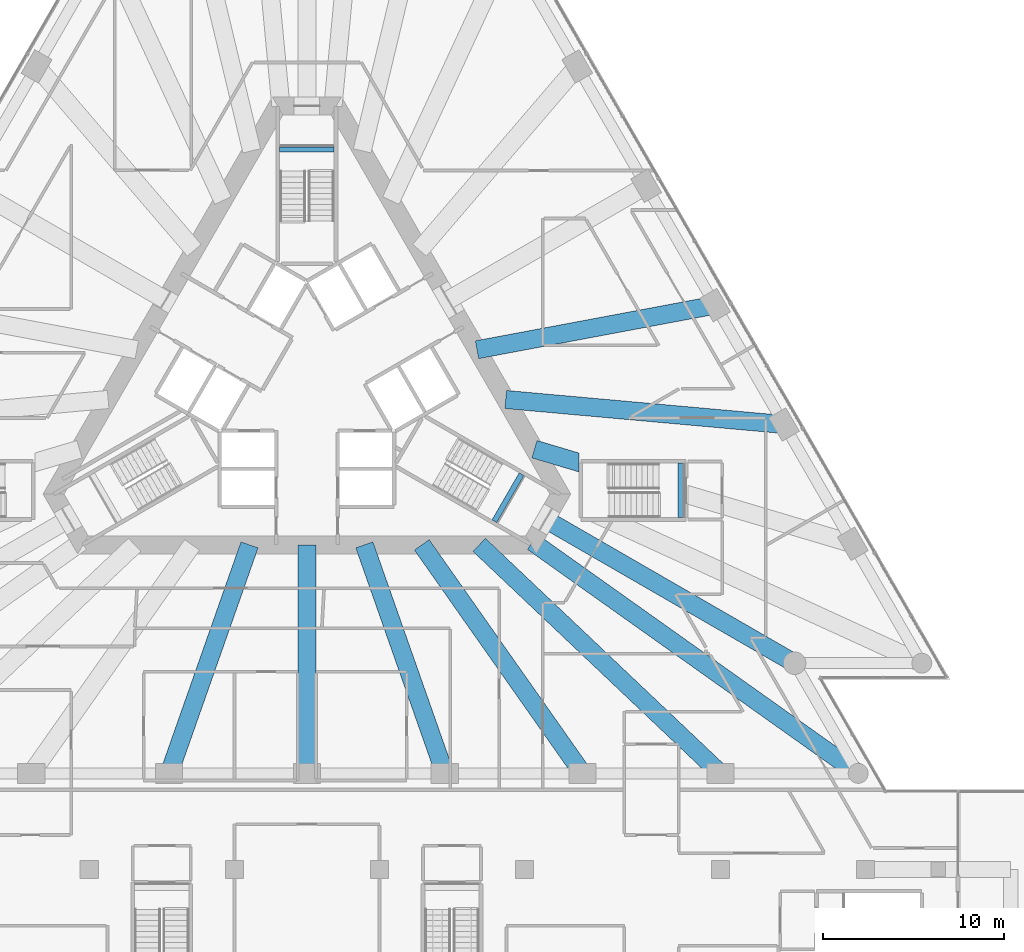
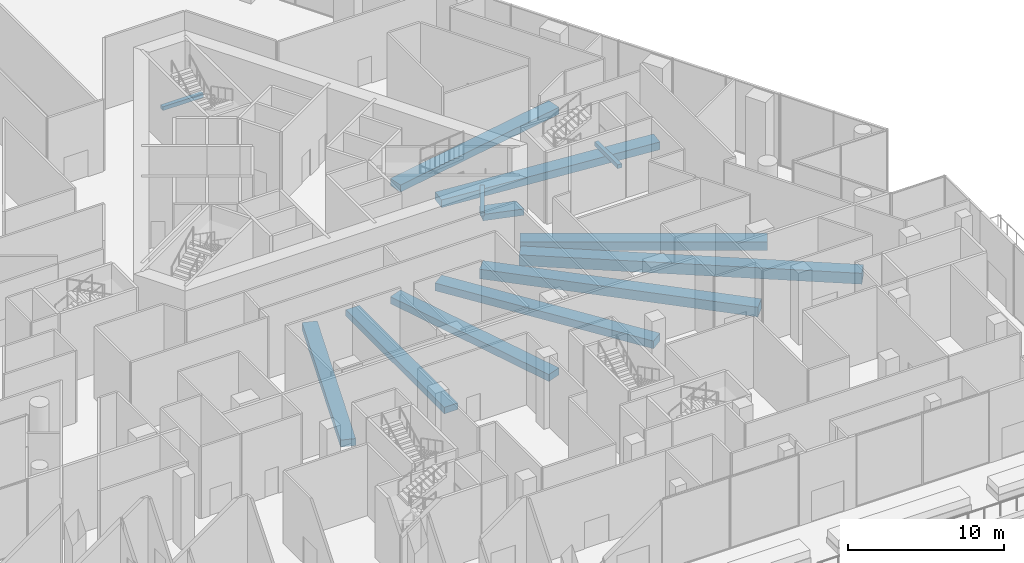
# One storey, part 11 of 36: 13 beams.
"""IFC4 building model written with IfcOpenShell, lengths in metres."""

from ifc_helpers import new_model, si_unit, direction, frame, origin, origin_2d, place, context, subcontext, project, spatial, rectangle, extrude, clip, halfspace, material, material_profile, profile_set, type_object, element, save


model = new_model("IFC4")

# Units and contexts
model_context = context("Model", 3, precision=1e-05, world=origin(), true_north=direction((0.0, 1.0)))
body_context = subcontext(model_context, "Body", "Model", "MODEL_VIEW")
ifc_project = project(units=[si_unit("LENGTHUNIT", "METRE"), si_unit("AREAUNIT", "SQUARE_METRE"), si_unit("VOLUMEUNIT", "CUBIC_METRE"), si_unit("PLANEANGLEUNIT", "RADIAN"), si_unit("MASSUNIT", "GRAM", prefix="KILO")], contexts=[model_context])

# Site, building, storey
site_placement = place(None, origin())
site = spatial("IfcSite", under=ifc_project, at=site_placement, CompositionType="ELEMENT")
building_placement = place(site_placement, origin())
building = spatial("IfcBuilding", under=site, at=building_placement, Name="Triada Interchange Tower", CompositionType="ELEMENT")
storey_placement = place(building_placement, frame((0.0, 0.0, 8.5)))
storey = spatial("IfcBuildingStorey", under=building, at=storey_placement, Name="L01", CompositionType="ELEMENT", Elevation=8.5)

# Beams
ifc_material_1 = material(Name="Concrete C35/45", Category="concrete")
ifc_material_profile_1 = material_profile(ifc_material_1, rectangle(XDim=0.300048828125, YDim=0.300048828125, at=origin_2d()), Name="RC 300x300")
ifc_profile_set_1 = profile_set([ifc_material_profile_1], Name="Concrete C35/45")
beam_type_1 = type_object("IfcBeamType", Name="Landing support beam RC 300x300", PredefinedType="BEAM", material=ifc_profile_set_1)
beam_1_placement = place(storey_placement, frame((1.5, 12.800048828125, 2.491943359375), z_axis=(-1.0, 0.0, 0.0), x_axis=(0.0, -1.0, 0.0)))
element("IfcBeam", 1, at=beam_1_placement, inside=storey, type_object=beam_type_1, Name="Landing support beam S01-1 1", PredefinedType="BEAM", context=body_context, shape_type="SweptSolid", body=[
    extrude(rectangle(XDim=0.300048828125, YDim=0.300048828125, at=origin_2d()), origin(), (0.0, 0.0, 1.0), 3.0),
])
beam_2_placement = place(storey_placement, frame((10.3349609375, -7.698974609375, 2.491943359375), z_axis=(0.50002537861, 0.866010750942, 0.0), x_axis=(-0.866010750942, 0.50002537861, 0.0)))
element("IfcBeam", 2, at=beam_2_placement, inside=storey, type_object=beam_type_1, Name="Landing support beam S01-3 1", PredefinedType="BEAM", context=body_context, shape_type="SweptSolid", body=[
    extrude(rectangle(XDim=0.300048828125, YDim=0.300048828125, at=origin_2d()), origin(), (0.0, 0.0, 1.0), 2.999755859375),
])
beam_3_placement = place(storey_placement, frame((20.60009765625, -7.5, 2.491943359375), z_axis=(0.0, 1.0, 0.0), x_axis=(-1.0, 0.0, 0.0)))
element("IfcBeam", 3, at=beam_3_placement, inside=storey, type_object=beam_type_1, Name="Landing support beam S01-7 1", PredefinedType="BEAM", context=body_context, shape_type="SweptSolid", body=[
    extrude(rectangle(XDim=0.300048828125, YDim=0.300048828125, at=origin_2d()), origin(), (0.0, 0.0, 1.0), 3.0),
])
ifc_material_2 = material(Name="Concrete C50/60", Category="concrete")
ifc_material_profile_2 = material_profile(ifc_material_2, rectangle(XDim=1.0, YDim=0.5, at=origin_2d()), Name="RC 1000x500")
ifc_profile_set_2 = profile_set([ifc_material_profile_2], Name="Concrete C50/60")
beam_type_2 = type_object("IfcBeamType", Name="Radial band beam P RC 1000x500", PredefinedType="BEAM", material=ifc_profile_set_2)
beam_4_placement = place(storey_placement, frame((0.0, -21.60009765625, -0.64990234375), z_axis=(0.0, 1.0, 0.0), x_axis=(-1.0, 0.0, 0.0)))
element("IfcBeam", 4, at=beam_4_placement, inside=storey, type_object=beam_type_2, Name="Radial band beam BP15 L01", PredefinedType="BEAM", context=body_context, shape_type="SweptSolid", body=[
    extrude(rectangle(XDim=1.0, YDim=0.5, at=origin_2d()), origin(), (0.0, 0.0, 1.0), 12.60009765625),
])
beam_5_placement = place(storey_placement, frame((16.43798828125, -4.884033203125, -0.64990234375), z_axis=(-0.95858381739, 0.284810577468, 0.0), x_axis=(-0.284810577468, -0.95858381739, 0.0)))
element("IfcBeam", 5, at=beam_5_placement, inside=storey, type_object=beam_type_2, Name="Radial band beam BP22B L01", PredefinedType="BEAM", context=body_context, shape_type="Clipping", body=[
    clip(extrude(rectangle(XDim=1.0, YDim=0.5, at=origin_2d()), origin(), (0.0, 0.0, 1.0), 4.062255859375), halfspace(frame((3.10888671875, -7.85009765625, 0.576416015625), z_axis=(-0.284810577468, 0.0, -0.95858381739), x_axis=(0.0, 1.0, 0.0)), False)),
])
ifc_material_profile_3 = material_profile(ifc_material_2, rectangle(XDim=1.0, YDim=0.550048828125, at=origin_2d()), Name="RC 1000x550")
ifc_profile_set_3 = profile_set([ifc_material_profile_3], Name="Concrete C50/60")
beam_type_3 = type_object("IfcBeamType", Name="Radial band beam P RC 1000x550", PredefinedType="BEAM", material=ifc_profile_set_3)
for number, where, z_axis, x_axis, name in (
    (6, (-7.59912109375, -21.60009765625, -0.675048828125), (0.331888742463, 0.943318537201, 0.0), (-0.943318537201, 0.331888742463, 0.0), "Radial band beam BP14 L01"),
    (7, (7.59912109375, -21.60009765625, -0.675048828125), (-0.331888742463, 0.943318537201, 0.0), (-0.943318537201, -0.331888742463, 0.0), "Radial band beam BP16 L01"),
):
    element("IfcBeam", number, at=place(storey_placement, frame(where, z_axis=z_axis, x_axis=x_axis)), inside=storey, type_object=beam_type_3, Name=name, PredefinedType="BEAM", context=body_context, shape_type="SweptSolid", body=[
        extrude(rectangle(XDim=1.0, YDim=0.550048828125, at=origin_2d()), origin(), (0.0, 0.0, 1.0), 13.357177734375),
    ])
beam_6_placement = place(storey_placement, frame((22.506103515625, 4.218994140625, -0.675048828125), z_axis=(-0.982880256044, -0.184245494596, 0.0), x_axis=(0.184245494596, -0.982880256044, 0.0)))
element("IfcBeam", 8, at=beam_6_placement, inside=storey, type_object=beam_type_3, Name="Radial band beam BP24 L01", PredefinedType="BEAM", context=body_context, shape_type="SweptSolid", body=[
    extrude(rectangle(XDim=1.0, YDim=0.550048828125, at=origin_2d()), origin(), (0.0, 0.0, 1.0), 13.35693359375),
])
ifc_material_profile_4 = material_profile(ifc_material_2, rectangle(XDim=1.0, YDim=0.60009765625, at=origin_2d()), Name="RC 1000x600")
ifc_profile_set_4 = profile_set([ifc_material_profile_4], Name="Concrete C50/60")
beam_type_4 = type_object("IfcBeamType", Name="Radial band beam P RC 1000x600", PredefinedType="BEAM", material=ifc_profile_set_4)
for number, where, z_axis, x_axis, name in (
    (9, (15.198974609375, -21.60009765625, -0.699951171875), (-0.575460041142, 0.81782989738, 0.0), (-0.81782989738, -0.575460041142, 0.0), "Radial band beam BP17 L01"),
    (10, (26.305908203125, -2.363037109375, -0.699951171875), (-0.995992484525, 0.089436965342, 0.0), (-0.089436965342, -0.995992484525, 0.0), "Radial band beam BP23 L01"),
):
    element("IfcBeam", number, at=place(storey_placement, frame(where, z_axis=z_axis, x_axis=x_axis)), inside=storey, type_object=beam_type_4, Name=name, PredefinedType="BEAM", context=body_context, shape_type="SweptSolid", body=[
        extrude(rectangle(XDim=1.0, YDim=0.60009765625, at=origin_2d()), origin(), (0.0, 0.0, 1.0), 15.40673828125),
    ])
ifc_material_profile_5 = material_profile(ifc_material_2, rectangle(XDim=1.0, YDim=0.64990234375, at=origin_2d()), Name="RC 1000x650")
ifc_profile_set_5 = profile_set([ifc_material_profile_5], Name="Concrete C50/60")
beam_type_5 = type_object("IfcBeamType", Name="Radial band beam P RC 1000x650", PredefinedType="BEAM", material=ifc_profile_set_5)
beam_7_placement = place(storey_placement, frame((26.889892578125, -15.52490234375, -0.72509765625), z_axis=(-0.866020130944, 0.500009132716, 0.0), x_axis=(-0.500009132716, -0.866020130944, 0.0)))
element("IfcBeam", 11, at=beam_7_placement, inside=storey, type_object=beam_type_5, Name="Radial band beam BP20 L01", PredefinedType="BEAM", context=body_context, shape_type="SweptSolid", body=[
    extrude(rectangle(XDim=1.0, YDim=0.64990234375, at=origin_2d()), origin(), (0.0, 0.0, 1.0), 15.849365234375),
])
ifc_material_profile_6 = material_profile(ifc_material_2, rectangle(XDim=1.0, YDim=0.75, at=origin_2d()), Name="RC 1000x750")
ifc_profile_set_6 = profile_set([ifc_material_profile_6], Name="Concrete C50/60")
beam_type_6 = type_object("IfcBeamType", Name="Radial band beam P RC 1000x750", PredefinedType="BEAM", material=ifc_profile_set_6)
beam_8_placement = place(storey_placement, frame((22.798095703125, -21.60009765625, -0.77490234375), z_axis=(-0.725926069578, 0.687772739723, 0.0), x_axis=(-0.687772739723, -0.725926069578, 0.0)))
element("IfcBeam", 12, at=beam_8_placement, inside=storey, type_object=beam_type_6, Name="Radial band beam BP18 L01", PredefinedType="BEAM", context=body_context, shape_type="SweptSolid", body=[
    extrude(rectangle(XDim=1.0, YDim=0.75, at=origin_2d()), origin(), (0.0, 0.0, 1.0), 18.320068359375),
])
ifc_material_profile_7 = material_profile(ifc_material_2, rectangle(XDim=1.0, YDim=0.85009765625, at=origin_2d()), Name="RC 1000x850")
ifc_profile_set_7 = profile_set([ifc_material_profile_7], Name="Concrete C50/60")
beam_type_7 = type_object("IfcBeamType", Name="Radial band beam P RC 1000x850", PredefinedType="BEAM", material=ifc_profile_set_7)
beam_9_placement = place(storey_placement, frame((30.39697265625, -21.60009765625, -0.824951171875), z_axis=(-0.815163189691, 0.579231364977, 0.0), x_axis=(-0.579231364977, -0.815163189691, 0.0)))
element("IfcBeam", 13, at=beam_9_placement, inside=storey, type_object=beam_type_7, Name="Radial band beam BP19 L01", PredefinedType="BEAM", context=body_context, shape_type="SweptSolid", body=[
    extrude(rectangle(XDim=1.0, YDim=0.85009765625, at=origin_2d()), origin(), (0.0, 0.0, 1.0), 22.0224609375),
])

save(model, "model.ifc")
